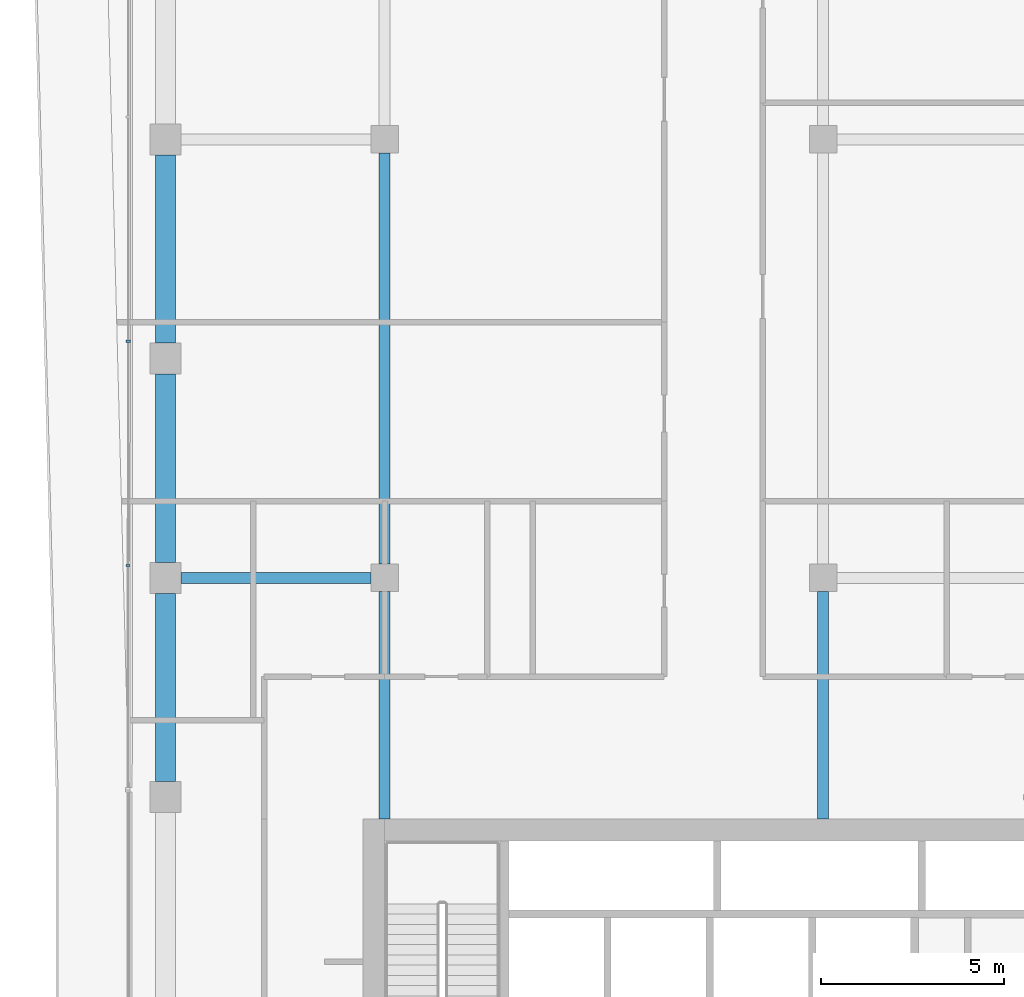
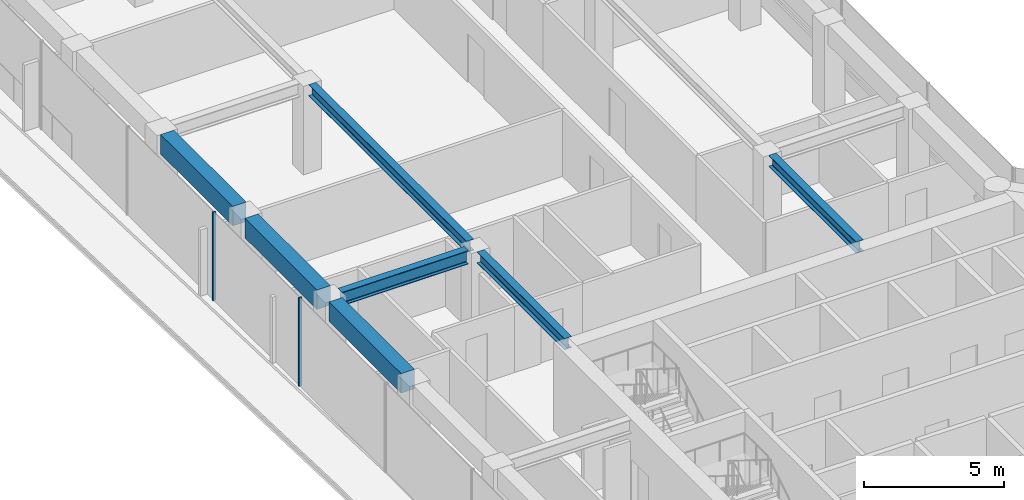
# One storey, part 7 of 20: 7 beams, 2 members, 1 element without a shape of its own.
"""IFC4 building model written with IfcOpenShell, lengths in metres."""

from ifc_helpers import new_model, si_unit, direction, frame, origin, origin_2d, place, context, subcontext, project, spatial, rectangle, i_section, extrude, material, layer, layer_set, material_profile, profile_set, type_object, element, aggregate, save


model = new_model("IFC4")

# Units and contexts
model_context = context("Model", 3, precision=1e-05, world=origin(), true_north=direction((0.0, 1.0)))
body_context = subcontext(model_context, "Body", "Model", "MODEL_VIEW")
ifc_project = project(units=[si_unit("LENGTHUNIT", "METRE"), si_unit("AREAUNIT", "SQUARE_METRE"), si_unit("VOLUMEUNIT", "CUBIC_METRE"), si_unit("PLANEANGLEUNIT", "RADIAN"), si_unit("MASSUNIT", "GRAM", prefix="KILO")], contexts=[model_context])

# Site, building, storey
site_placement = place(None, origin())
site = spatial("IfcSite", under=ifc_project, at=site_placement, CompositionType="ELEMENT")
building_placement = place(site_placement, origin())
building = spatial("IfcBuilding", under=site, at=building_placement, Name="Welwitschia Terrace Campus", CompositionType="ELEMENT")
storey_placement = place(building_placement, frame((0.0, 0.0, 176.0)))
storey = spatial("IfcBuildingStorey", under=building, at=storey_placement, Name="L39", CompositionType="ELEMENT", Elevation=176.0)

# Beams
ifc_material_1 = material(Name="Steel S355", Category="steel")
ifc_material_profile_1 = material_profile(ifc_material_1, i_section(OverallWidth=0.300048828125, OverallDepth=0.489990234375, WebThickness=0.011962890625, FlangeThickness=0.02294921875, FilletRadius=0.027099609375, at=origin_2d()))
ifc_profile_set_1 = profile_set([ifc_material_profile_1], Name="Steel S355")
beam_type_1 = type_object("IfcBeamType", Name="Interior girder HE 500 A", PredefinedType="BEAM", material=ifc_profile_set_1)
beam_1_placement = place(storey_placement, frame((6.0, 25.40087890625, 3.60498046875), z_axis=(0.0, 1.0, 0.0), x_axis=(-1.0, 0.0, 0.0)))
element("IfcBeam", 1, at=beam_1_placement, inside=storey, type_object=beam_type_1, Name="Girder GB4", PredefinedType="BEAM", context=body_context, shape_type="SweptSolid", body=[
    extrude(i_section(OverallWidth=0.300048828125, OverallDepth=0.489990234375, WebThickness=0.011962890625, FlangeThickness=0.02294921875, FilletRadius=0.027099609375, at=origin_2d()), origin(), (0.0, 0.0, 1.0), 6.2236328125),
])
beam_2_placement = place(storey_placement, frame((6.0, 32.37548828125, 3.60498046875), z_axis=(0.0, 1.0, 0.0), x_axis=(-1.0, 0.0, 0.0)))
element("IfcBeam", 2, at=beam_2_placement, inside=storey, type_object=beam_type_1, Name="Girder GB4", PredefinedType="BEAM", context=body_context, shape_type="SweptSolid", body=[
    extrude(i_section(OverallWidth=0.300048828125, OverallDepth=0.489990234375, WebThickness=0.011962890625, FlangeThickness=0.02294921875, FilletRadius=0.027099609375, at=origin_2d()), origin(), (0.0, 0.0, 1.0), 11.2490234375),
])
beam_3_placement = place(storey_placement, frame((18.0, 25.40087890625, 3.60498046875), z_axis=(0.0, 1.0, 0.0), x_axis=(-1.0, 0.0, 0.0)))
element("IfcBeam", 3, at=beam_3_placement, inside=storey, type_object=beam_type_1, Name="Girder GB4", PredefinedType="BEAM", context=body_context, shape_type="SweptSolid", body=[
    extrude(i_section(OverallWidth=0.300048828125, OverallDepth=0.489990234375, WebThickness=0.011962890625, FlangeThickness=0.02294921875, FilletRadius=0.027099609375, at=origin_2d()), origin(), (0.0, 0.0, 1.0), 6.2236328125),
])

# Curtain wall, members
ifc_material_2 = material(Name="Bronze anodised aluminium", Category="aluminium")
ifc_layer = layer(ifc_material_2, 0.1201171875)
ifc_layer_set = layer_set([ifc_layer], Name="Bronze anodised aluminium")
curtain_wall_type = type_object("IfcCurtainWallType", Name="Curtain wall CW2 tower 6000", PredefinedType="NOTDEFINED", material=ifc_layer_set)
curtain_wall_placement = place(storey_placement, origin())
curtain_wall = element("IfcCurtainWall", 4, at=curtain_wall_placement, inside=storey, type_object=curtain_wall_type, Name="CW L39.12.0", PredefinedType="NOTDEFINED")
ifc_material_3 = material(Name="Bronze anodised aluminium", Category="aluminium")
ifc_material_profile_2 = material_profile(ifc_material_3, rectangle(XDim=0.1201171875, YDim=0.06005859375, at=origin_2d()))
ifc_profile_set_2 = profile_set([ifc_material_profile_2], Name="Bronze anodised aluminium")
member_type = type_object("IfcMemberType", Name="Mullion 60x120", PredefinedType="MULLION", material=ifc_profile_set_2)
member_1_placement = place(storey_placement, frame((-1.0224609375, 38.474853515625, 0.0), z_axis=(0.0, 0.0, 1.0), x_axis=(0.999999815296, -0.000607788744, 0.0)))
member_1 = element("IfcMember", 5, at=member_1_placement, type_object=member_type, Name="Mullion L39.12.0.4", PredefinedType="MULLION", context=body_context, shape_type="SweptSolid", body=[
    extrude(rectangle(XDim=0.1201171875, YDim=0.06005859375, at=origin_2d()), origin(), (0.0, 0.0, 1.0), 3.85009765625),
])
member_2_placement = place(storey_placement, frame((-1.0263671875, 32.336181640625, 0.0), z_axis=(0.0, 0.0, 1.0), x_axis=(0.999999815296, -0.000607788744, 0.0)))
member_2 = element("IfcMember", 6, at=member_2_placement, type_object=member_type, Name="Mullion L39.12.0.5", PredefinedType="MULLION", context=body_context, shape_type="SweptSolid", body=[
    extrude(rectangle(XDim=0.1201171875, YDim=0.06005859375, at=origin_2d()), origin(), (0.0, 0.0, 1.0), 3.85009765625),
])
aggregate(curtain_wall, [member_1, member_2])

# Beams
ifc_material_4 = material(Name="Steel S355", Category="steel")
ifc_material_profile_3 = material_profile(ifc_material_4, i_section(OverallWidth=0.300048828125, OverallDepth=0.590087890625, WebThickness=0.012939453125, FlangeThickness=0.02490234375, FilletRadius=0.027099609375, at=origin_2d()))
ifc_profile_set_3 = profile_set([ifc_material_profile_3], Name="Steel S355")
beam_type_2 = type_object("IfcBeamType", Name="Primary beam HE 600 A", PredefinedType="BEAM", material=ifc_profile_set_3)
beam_4_placement = place(storey_placement, frame((0.425537109375, 32.0, 3.554931640625), z_axis=(1.0, 0.0, 0.0), x_axis=(0.0, 1.0, 0.0)))
element("IfcBeam", 7, at=beam_4_placement, inside=storey, type_object=beam_type_2, Name="Primary beam PB4", PredefinedType="BEAM", context=body_context, shape_type="SweptSolid", body=[
    extrude(i_section(OverallWidth=0.300048828125, OverallDepth=0.590087890625, WebThickness=0.012939453125, FlangeThickness=0.02490234375, FilletRadius=0.027099609375, at=origin_2d()), origin(), (0.0, 0.0, 1.0), 5.198974609375),
])
ifc_material_5 = material(Name="Concrete C50/60", Category="concrete")
ifc_material_profile_4 = material_profile(ifc_material_5, rectangle(XDim=0.550048828125, YDim=0.85009765625, at=origin_2d()))
ifc_profile_set_4 = profile_set([ifc_material_profile_4], Name="Concrete C50/60")
beam_type_3 = type_object("IfcBeamType", Name="Ring spandrel 550x850", PredefinedType="SPANDREL", material=ifc_profile_set_4)
for number, where, z_axis, x_axis, name in (
    (8, (0.0, 43.574462890625, 3.425048828125), (0.0, -1.0, 0.0), (1.0, 0.0, 0.0), "Spandrel SP3"),
    (9, (0.0, 37.574462890625, 3.425048828125), (0.0, -1.0, 0.0), (1.0, 0.0, 0.0), "Spandrel SP3"),
    (10, (0.0, 31.574462890625, 3.425048828125), (0.0, -1.0, 0.0), (1.0, 0.0, 0.0), "Spandrel SP3"),
):
    element("IfcBeam", number, at=place(storey_placement, frame(where, z_axis=z_axis, x_axis=x_axis)), inside=storey, type_object=beam_type_3, Name=name, PredefinedType="SPANDREL", context=body_context, shape_type="SweptSolid", body=[
        extrude(rectangle(XDim=0.550048828125, YDim=0.85009765625, at=origin_2d()), origin(), (0.0, 0.0, 1.0), 5.14892578125),
    ])

save(model, "model.ifc")
